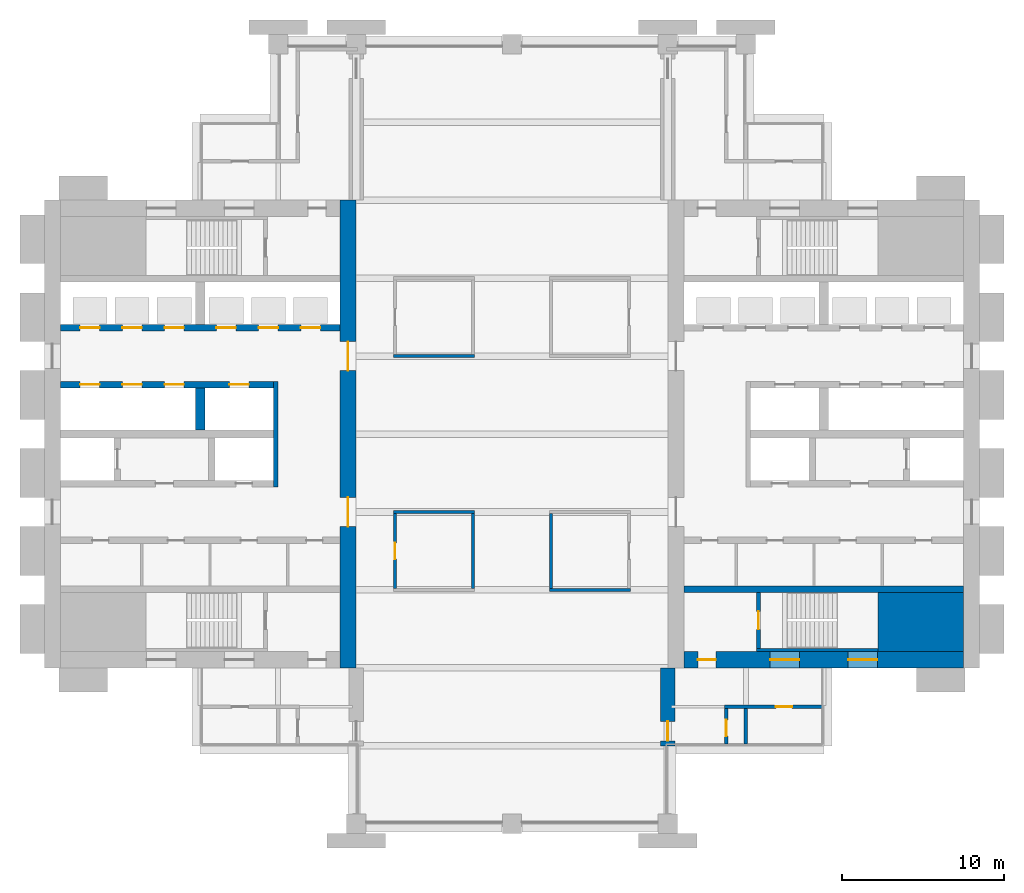
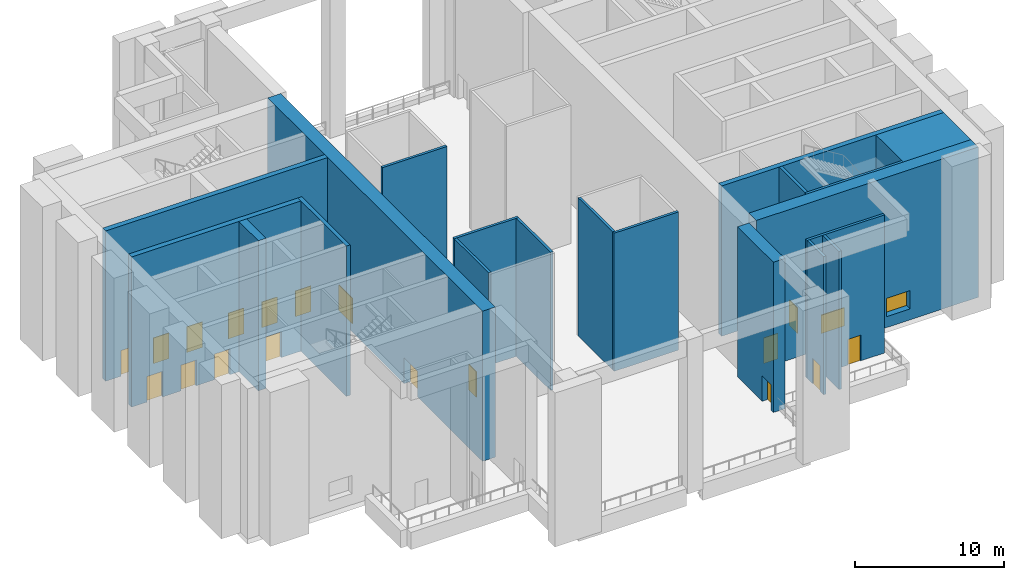
# One storey, part 3 of 9: 20 walls, 18 doors, 2 windows, 20 openings.
"""IFC4 building model written with IfcOpenShell, lengths in metres."""

from ifc_helpers import new_model, si_unit, direction, frame, frame_2d, origin, place, context, subcontext, project, spatial, rectangle, extrude, material, layer, layer_set, type_object, element, fill, save


model = new_model("IFC4")

# Units and contexts
model_context = context("Model", 3, precision=1e-05, world=origin(), true_north=direction((0.0, 1.0)))
body_context = subcontext(model_context, "Body", "Model", "MODEL_VIEW")
ifc_project = project(units=[si_unit("LENGTHUNIT", "METRE"), si_unit("AREAUNIT", "SQUARE_METRE"), si_unit("VOLUMEUNIT", "CUBIC_METRE"), si_unit("PLANEANGLEUNIT", "RADIAN"), si_unit("MASSUNIT", "GRAM", prefix="KILO")], contexts=[model_context])

# Site, building, storey
site_placement = place(None, origin())
site = spatial("IfcSite", under=ifc_project, at=site_placement, CompositionType="ELEMENT")
building_placement = place(site_placement, origin())
building = spatial("IfcBuilding", under=site, at=building_placement, Name="Baori Bourse Tower", CompositionType="ELEMENT")
storey_placement = place(building_placement, frame((0.0, 0.0, 180.60009765625)))
storey = spatial("IfcBuildingStorey", under=building, at=storey_placement, Name="L40", CompositionType="ELEMENT", Elevation=180.60009765625)

# Wall
ifc_material_1 = material(Name="Concrete f'c 60 MPa", Category="concrete")
wall_type_1 = type_object("IfcWallType", Name="Core corner block f'c 60", PredefinedType="SHEAR", material=ifc_material_1)
wall_1_placement = place(storey_placement, frame((51.35009765625, 12.425048828125, 0.0), z_axis=(0.0, 0.0, 1.0), x_axis=(1.0, 0.0, 0.0)))
element("IfcWall", 1, at=wall_1_placement, inside=storey, type_object=wall_type_1, Name="Core wall E04", PredefinedType="SHEAR", context=body_context, shape_type="SweptSolid", body=[
    extrude(rectangle(XDim=5.25, YDim=3.64990234375, at=frame_2d((2.625, 0.0))), origin(), (0.0, 0.0, 1.0), 12.2998046875),
])

# Wall, openings, doors
ifc_material_2 = material(Name="Concrete f'c 60 MPa", Category="concrete")
ifc_layer_1 = layer(ifc_material_2, 1.0)
ifc_layer_set_1 = layer_set([ifc_layer_1], Name="Core wall 1000 f'c 60")
wall_type_2 = type_object("IfcWallType", Name="Core wall 1000 f'c 60", PredefinedType="SHEAR", material=ifc_layer_set_1)
wall_2_placement = place(storey_placement, frame((18.699951171875, 38.39990234375, 0.0), z_axis=(0.0, 0.0, 1.0), x_axis=(0.0, -1.0, 0.0)))
wall_2 = element("IfcWall", 2, at=wall_2_placement, inside=storey, type_object=wall_type_2, Name="Core wall W03", PredefinedType="SHEAR", context=body_context, shape_type="SweptSolid", body=[
    extrude(rectangle(XDim=28.7998046875, YDim=1.0, at=frame_2d((14.39990234375, 0.0))), origin(), (0.0, 0.0, 1.0), 12.2998046875),
])
opening_1_placement = place(wall_2_placement, frame((18.300048828125, 0.0, 0.0)))
opening_1 = element("IfcOpeningElement", 3, at=opening_1_placement, cuts=wall_2, Name="Opening L40-D107", PredefinedType="OPENING", context=body_context, shape_type="SweptSolid", body=[
    extrude(rectangle(XDim=1.800048828125, YDim=2.10009765625, at=frame_2d((0.89990234375, 1.050048828125))), frame((0.0, 0.510009765625, 0.0), z_axis=(0.0, -1.0, 0.0), x_axis=(1.0, 0.0, 0.0)), (0.0, 0.0, 1.0), 1.02001953125),
])
opening_2_placement = place(wall_2_placement, frame((8.699951171875, 0.0, 0.0)))
opening_2 = element("IfcOpeningElement", 4, at=opening_2_placement, cuts=wall_2, Name="Opening L40-D108", PredefinedType="OPENING", context=body_context, shape_type="SweptSolid", body=[
    extrude(rectangle(XDim=1.800048828125, YDim=2.10009765625, at=frame_2d((0.89990234375, 1.050048828125))), frame((0.0, 0.510009765625, 0.0), z_axis=(0.0, -1.0, 0.0), x_axis=(1.0, 0.0, 0.0)), (0.0, 0.0, 1.0), 1.02001953125),
])
ifc_material_3 = material(Name="Painted steel door", Category="steel")
door_type_1 = type_object("IfcDoorType", Name="Core lobby door 1800", OperationType="DOUBLE_DOOR_SINGLE_SWING", PredefinedType="DOOR", material=ifc_material_3)
door_1_placement = place(opening_1_placement, origin())
door_1 = element("IfcDoor", 5, at=door_1_placement, inside=storey, type_object=door_type_1, Name="Lobby door W L40", OperationType="DOUBLE_DOOR_SINGLE_SWING", OverallHeight=2.10009765625, OverallWidth=1.800048828125, PredefinedType="DOOR", context=body_context, shape_type="SweptSolid", body=[
    extrude(rectangle(XDim=1.800048828125, YDim=2.10009765625, at=frame_2d((0.89990234375, 1.050048828125))), frame((0.0, 0.02490234375, 0.0), z_axis=(0.0, -1.0, 0.0), x_axis=(1.0, 0.0, 0.0)), (0.0, 0.0, 1.0), 0.050048828125),
])
fill(opening_1, door_1)
door_2_placement = place(opening_2_placement, origin())
door_2 = element("IfcDoor", 6, at=door_2_placement, inside=storey, type_object=door_type_1, Name="Lobby door W L40", OperationType="DOUBLE_DOOR_SINGLE_SWING", OverallHeight=2.10009765625, OverallWidth=1.800048828125, PredefinedType="DOOR", context=body_context, shape_type="SweptSolid", body=[
    extrude(rectangle(XDim=1.800048828125, YDim=2.10009765625, at=frame_2d((0.89990234375, 1.050048828125))), frame((0.0, 0.02490234375, 0.0), z_axis=(0.0, -1.0, 0.0), x_axis=(1.0, 0.0, 0.0)), (0.0, 0.0, 1.0), 0.050048828125),
])
fill(opening_2, door_2)

# Wall, openings, door, windows
wall_3_placement = place(storey_placement, frame((56.60009765625, 10.10009765625, 0.0), z_axis=(0.0, 0.0, 1.0), x_axis=(-1.0, 0.0, 0.0)))
wall_3 = element("IfcWall", 7, at=wall_3_placement, inside=storey, type_object=wall_type_2, Name="Core wall E02", PredefinedType="SHEAR", context=body_context, shape_type="SweptSolid", body=[
    extrude(rectangle(XDim=17.2001953125, YDim=1.0, at=frame_2d((8.60009765625, 0.0))), origin(), (0.0, 0.0, 1.0), 12.2998046875),
])
opening_3_placement = place(wall_3_placement, frame((15.25, 0.0, 0.0)))
opening_3 = element("IfcOpeningElement", 8, at=opening_3_placement, cuts=wall_3, Name="Opening L40-D202", PredefinedType="OPENING", context=body_context, shape_type="SweptSolid", body=[
    extrude(rectangle(XDim=1.10009765625, YDim=2.10009765625, at=frame_2d((0.550048828125, 1.050048828125))), frame((0.0, 0.510009765625, 0.0), z_axis=(0.0, -1.0, 0.0), x_axis=(1.0, 0.0, 0.0)), (0.0, 0.0, 1.0), 1.02001953125),
])
opening_4_placement = place(wall_3_placement, frame((5.300048828125, 0.0, 0.89990234375)))
opening_4 = element("IfcOpeningElement", 9, at=opening_4_placement, cuts=wall_3, Name="Opening L40-KW203", PredefinedType="OPENING", context=body_context, shape_type="SweptSolid", body=[
    extrude(rectangle(XDim=1.800048828125, YDim=1.5, at=frame_2d((0.89990234375, 0.75))), frame((0.0, 0.510009765625, 0.0), z_axis=(0.0, -1.0, 0.0), x_axis=(1.0, 0.0, 0.0)), (0.0, 0.0, 1.0), 1.02001953125),
])
opening_5_placement = place(wall_3_placement, frame((10.10009765625, 0.0, 0.89990234375)))
opening_5 = element("IfcOpeningElement", 10, at=opening_5_placement, cuts=wall_3, Name="Opening L40-KW204", PredefinedType="OPENING", context=body_context, shape_type="SweptSolid", body=[
    extrude(rectangle(XDim=1.800048828125, YDim=1.5, at=frame_2d((0.89990234375, 0.75))), frame((0.0, 0.510009765625, 0.0), z_axis=(0.0, -1.0, 0.0), x_axis=(1.0, 0.0, 0.0)), (0.0, 0.0, 1.0), 1.02001953125),
])
ifc_material_4 = material(Name="Painted steel door", Category="steel")
door_type_2 = type_object("IfcDoorType", Name="Stair door 1100", OperationType="SINGLE_SWING_LEFT", PredefinedType="DOOR", material=ifc_material_4)
door_3_placement = place(opening_3_placement, origin())
door_3 = element("IfcDoor", 11, at=door_3_placement, inside=storey, type_object=door_type_2, Name="Stair vestibule door A E L40", OperationType="SINGLE_SWING_LEFT", OverallHeight=2.10009765625, OverallWidth=1.10009765625, PredefinedType="DOOR", context=body_context, shape_type="SweptSolid", body=[
    extrude(rectangle(XDim=1.10009765625, YDim=2.10009765625, at=frame_2d((0.550048828125, 1.050048828125))), frame((0.0, 0.02490234375, 0.0), z_axis=(0.0, -1.0, 0.0), x_axis=(1.0, 0.0, 0.0)), (0.0, 0.0, 1.0), 0.050048828125),
])
fill(opening_3, door_3)
ifc_material_5 = material(Name="Pale anodised aluminium", Category="aluminium")
window_type = type_object("IfcWindowType", Name="Stair window 1800 x 1500", PartitioningType="SINGLE_PANEL", PredefinedType="WINDOW", material=ifc_material_5)
window_1_placement = place(opening_4_placement, origin())
window_1 = element("IfcWindow", 12, at=window_1_placement, inside=storey, type_object=window_type, Name="Stair window E L40 3", OverallHeight=1.5, OverallWidth=1.800048828125, PartitioningType="SINGLE_PANEL", PredefinedType="WINDOW", context=body_context, shape_type="SweptSolid", body=[
    extrude(rectangle(XDim=1.800048828125, YDim=1.5, at=frame_2d((0.89990234375, 0.75))), frame((0.0, 0.030029296875, 0.0), z_axis=(0.0, -1.0, 0.0), x_axis=(1.0, 0.0, 0.0)), (0.0, 0.0, 1.0), 0.06005859375),
])
fill(opening_4, window_1)
window_2_placement = place(opening_5_placement, origin())
window_2 = element("IfcWindow", 13, at=window_2_placement, inside=storey, type_object=window_type, Name="Stair window E L40 4", OverallHeight=1.5, OverallWidth=1.800048828125, PartitioningType="SINGLE_PANEL", PredefinedType="WINDOW", context=body_context, shape_type="SweptSolid", body=[
    extrude(rectangle(XDim=1.800048828125, YDim=1.5, at=frame_2d((0.89990234375, 0.75))), frame((0.0, 0.030029296875, 0.0), z_axis=(0.0, -1.0, 0.0), x_axis=(1.0, 0.0, 0.0)), (0.0, 0.0, 1.0), 0.06005859375),
])
fill(opening_5, window_2)

# Wall, opening, door
ifc_material_6 = material(Name="Concrete f'c 60 MPa", Category="concrete")
ifc_layer_2 = layer(ifc_material_6, 0.89990234375)
ifc_layer_set_2 = layer_set([ifc_layer_2], Name="Outrigger wall 900 60")
wall_type_3 = type_object("IfcWallType", Name="Outrigger wall 900 60", PredefinedType="SHEAR", material=ifc_layer_set_2)
wall_4_placement = place(storey_placement, frame((38.39990234375, 4.800048828125, 0.0), z_axis=(0.0, 0.0, 1.0), x_axis=(0.0, 1.0, 0.0)))
wall_4 = element("IfcWall", 14, at=wall_4_placement, inside=storey, type_object=wall_type_3, Name="Outrigger wall L40", PredefinedType="SHEAR", context=body_context, shape_type="SweptSolid", body=[
    extrude(rectangle(XDim=4.800048828125, YDim=0.89990234375, at=frame_2d((2.39990234375, 0.0))), origin(), (0.0, 0.0, 1.0), 12.2998046875),
])
opening_6_placement = place(wall_4_placement, frame((0.300048828125, 0.0, 0.0)))
opening_6 = element("IfcOpeningElement", 15, at=opening_6_placement, cuts=wall_4, Name="Opening L40-D15", PredefinedType="OPENING", context=body_context, shape_type="SweptSolid", body=[
    extrude(rectangle(XDim=1.199951171875, YDim=2.10009765625, at=frame_2d((0.60009765625, 1.050048828125))), frame((0.0, 0.4599609375, 0.0), z_axis=(0.0, -1.0, 0.0), x_axis=(1.0, 0.0, 0.0)), (0.0, 0.0, 1.0), 0.919921875),
])
ifc_material_7 = material(Name="Timber door leaf", Category="wood")
door_type_3 = type_object("IfcDoorType", Name="Door 1200 x 2100", OperationType="SINGLE_SWING_LEFT", PredefinedType="DOOR", material=ifc_material_7)
door_4_placement = place(opening_6_placement, origin())
door_4 = element("IfcDoor", 16, at=door_4_placement, inside=storey, type_object=door_type_3, Name="Door", OperationType="SINGLE_SWING_RIGHT", OverallHeight=2.10009765625, OverallWidth=1.199951171875, PredefinedType="DOOR", context=body_context, shape_type="SweptSolid", body=[
    extrude(rectangle(XDim=1.199951171875, YDim=2.10009765625, at=frame_2d((0.60009765625, 1.050048828125))), frame((0.0, 0.02490234375, 0.0), z_axis=(0.0, -1.0, 0.0), x_axis=(1.0, 0.0, 0.0)), (0.0, 0.0, 1.0), 0.050048828125),
])
fill(opening_6, door_4)

ifc_material_8 = material(Name="Gypsum board partition")
ifc_layer_3 = layer(ifc_material_8, 0.199951171875)
ifc_layer_set_3 = layer_set([ifc_layer_3], Name="Plant room wall 200")
wall_type_4 = type_object("IfcWallType", Name="Plant room wall 200", PredefinedType="PARTITIONING", material=ifc_layer_set_3)
wall_5_placement = place(storey_placement, frame((41.89990234375, 7.199951171875, 0.0), z_axis=(0.0, 0.0, 1.0), x_axis=(1.0, 0.0, 0.0)))
wall_5 = element("IfcWall", 17, at=wall_5_placement, inside=storey, type_object=wall_type_4, Name="Partition", PredefinedType="PARTITIONING", context=body_context, shape_type="SweptSolid", body=[
    extrude(rectangle(XDim=6.0, YDim=0.199951171875, at=frame_2d((3.0, 0.0))), origin(), (0.0, 0.0, 1.0), 11.309326171875),
])
opening_7_placement = place(wall_5_placement, frame((3.14990234375, 0.0, 0.0)))
opening_7 = element("IfcOpeningElement", 18, at=opening_7_placement, cuts=wall_5, Name="Opening L40-D02", PredefinedType="OPENING", context=body_context, shape_type="SweptSolid", body=[
    extrude(rectangle(XDim=1.0, YDim=2.10009765625, at=frame_2d((0.5, 1.050048828125))), frame((0.0, 0.10986328125, 0.0), z_axis=(0.0, -1.0, 0.0), x_axis=(1.0, 0.0, 0.0)), (0.0, 0.0, 1.0), 0.219970703125),
])
ifc_material_9 = material(Name="Timber door leaf", Category="wood")
door_type_4 = type_object("IfcDoorType", Name="Door 1000 x 2100", OperationType="SINGLE_SWING_LEFT", PredefinedType="DOOR", material=ifc_material_9)
door_5_placement = place(opening_7_placement, origin())
door_5 = element("IfcDoor", 19, at=door_5_placement, inside=storey, type_object=door_type_4, Name="Door", OperationType="SINGLE_SWING_RIGHT", OverallHeight=2.10009765625, OverallWidth=1.0, PredefinedType="DOOR", context=body_context, shape_type="SweptSolid", body=[
    extrude(rectangle(XDim=1.0, YDim=2.10009765625, at=frame_2d((0.5, 1.050048828125))), frame((0.0, 0.02490234375, 0.0), z_axis=(0.0, -1.0, 0.0), x_axis=(1.0, 0.0, 0.0)), (0.0, 0.0, 1.0), 0.050048828125),
])
fill(opening_7, door_5)

# Walls
for number, where, z_axis, x_axis, name in (
    (20, (31.10009765625, 14.39990234375, 0.0), (0.0, 0.0, 1.0), (1.0, 0.0, 0.0), "Partition"),
    (21, (21.5, 19.199951171875, 0.0), (0.0, 0.0, 1.0), (1.0, 0.0, 0.0), "Partition"),
    (22, (21.5, 28.800048828125, 0.0), (0.0, 0.0, 1.0), (1.0, 0.0, 0.0), "Partition"),
):
    element("IfcWall", number, at=place(storey_placement, frame(where, z_axis=z_axis, x_axis=x_axis)), inside=storey, type_object=wall_type_4, Name=name, PredefinedType="PARTITIONING", context=body_context, shape_type="SweptSolid", body=[
        extrude(rectangle(XDim=5.0, YDim=0.199951171875, at=frame_2d((2.5, 0.0))), origin(), (0.0, 0.0, 1.0), 11.309326171875),
    ])

# Wall, opening, door
wall_6_placement = place(storey_placement, frame((21.60009765625, 14.5, 0.0), z_axis=(0.0, 0.0, 1.0), x_axis=(0.0, 1.0, 0.0)))
wall_6 = element("IfcWall", 23, at=wall_6_placement, inside=storey, type_object=wall_type_4, Name="Partition", PredefinedType="PARTITIONING", context=body_context, shape_type="SweptSolid", body=[
    extrude(rectangle(XDim=4.60009765625, YDim=0.199951171875, at=frame_2d((2.300048828125, 0.0))), origin(), (0.0, 0.0, 1.0), 11.309326171875),
])
opening_8_placement = place(wall_6_placement, frame((1.800048828125, 0.0, 0.0)))
opening_8 = element("IfcOpeningElement", 24, at=opening_8_placement, cuts=wall_6, Name="Opening L40-D07", PredefinedType="OPENING", context=body_context, shape_type="SweptSolid", body=[
    extrude(rectangle(XDim=1.0, YDim=2.10009765625, at=frame_2d((0.5, 1.050048828125))), frame((0.0, 0.10986328125, 0.0), z_axis=(0.0, -1.0, 0.0), x_axis=(1.0, 0.0, 0.0)), (0.0, 0.0, 1.0), 0.219970703125),
])
door_6_placement = place(opening_8_placement, origin())
door_6 = element("IfcDoor", 25, at=door_6_placement, inside=storey, type_object=door_type_4, Name="Door", OperationType="SINGLE_SWING_LEFT", OverallHeight=2.10009765625, OverallWidth=1.0, PredefinedType="DOOR", context=body_context, shape_type="SweptSolid", body=[
    extrude(rectangle(XDim=1.0, YDim=2.10009765625, at=frame_2d((0.5, 1.050048828125))), frame((0.0, 0.02490234375, 0.0), z_axis=(0.0, -1.0, 0.0), x_axis=(1.0, 0.0, 0.0)), (0.0, 0.0, 1.0), 0.050048828125),
])
fill(opening_8, door_6)

# Walls
for number, where, z_axis, x_axis, name in (
    (26, (26.39990234375, 14.5, 0.0), (0.0, 0.0, 1.0), (0.0, 1.0, 0.0), "Partition"),
    (27, (31.199951171875, 14.5, 0.0), (0.0, 0.0, 1.0), (0.0, 1.0, 0.0), "Partition"),
):
    element("IfcWall", number, at=place(storey_placement, frame(where, z_axis=z_axis, x_axis=x_axis)), inside=storey, type_object=wall_type_4, Name=name, PredefinedType="PARTITIONING", context=body_context, shape_type="SweptSolid", body=[
        extrude(rectangle(XDim=4.60009765625, YDim=0.199951171875, at=frame_2d((2.300048828125, 0.0))), origin(), (0.0, 0.0, 1.0), 11.309326171875),
    ])

# Wall, opening, door
wall_7_placement = place(storey_placement, frame((42.0, 4.89990234375, 0.0), z_axis=(0.0, 0.0, 1.0), x_axis=(0.0, 1.0, 0.0)))
wall_7 = element("IfcWall", 28, at=wall_7_placement, inside=storey, type_object=wall_type_4, Name="Partition", PredefinedType="PARTITIONING", context=body_context, shape_type="SweptSolid", body=[
    extrude(rectangle(XDim=2.2001953125, YDim=0.199951171875, at=frame_2d((1.10009765625, 0.0))), origin(), (0.0, 0.0, 1.0), 11.309326171875),
])
opening_9_placement = place(wall_7_placement, frame((0.5, 0.0, 0.0)))
opening_9 = element("IfcOpeningElement", 29, at=opening_9_placement, cuts=wall_7, Name="Opening L40-D11", PredefinedType="OPENING", context=body_context, shape_type="SweptSolid", body=[
    extrude(rectangle(XDim=1.0, YDim=2.10009765625, at=frame_2d((0.5, 1.050048828125))), frame((0.0, 0.10986328125, 0.0), z_axis=(0.0, -1.0, 0.0), x_axis=(1.0, 0.0, 0.0)), (0.0, 0.0, 1.0), 0.219970703125),
])
door_7_placement = place(opening_9_placement, origin())
door_7 = element("IfcDoor", 30, at=door_7_placement, inside=storey, type_object=door_type_4, Name="Door", OperationType="SINGLE_SWING_LEFT", OverallHeight=2.10009765625, OverallWidth=1.0, PredefinedType="DOOR", context=body_context, shape_type="SweptSolid", body=[
    extrude(rectangle(XDim=1.0, YDim=2.10009765625, at=frame_2d((0.5, 1.050048828125))), frame((0.0, 0.02490234375, 0.0), z_axis=(0.0, -1.0, 0.0), x_axis=(1.0, 0.0, 0.0)), (0.0, 0.0, 1.0), 0.050048828125),
])
fill(opening_9, door_7)

# Walls
wall_8_placement = place(storey_placement, frame((43.199951171875, 4.89990234375, 0.0), z_axis=(0.0, 0.0, 1.0), x_axis=(0.0, 1.0, 0.0)))
element("IfcWall", 31, at=wall_8_placement, inside=storey, type_object=wall_type_4, Name="Partition", PredefinedType="PARTITIONING", context=body_context, shape_type="SweptSolid", body=[
    extrude(rectangle(XDim=2.2001953125, YDim=0.199951171875, at=frame_2d((1.10009765625, 0.0))), origin(), (0.0, 0.0, 1.0), 11.309326171875),
])
ifc_material_10 = material(Name="Concrete f'c 60 MPa", Category="concrete")
ifc_layer_4 = layer(ifc_material_10, 0.199951171875)
ifc_layer_set_4 = layer_set([ifc_layer_4], Name="Shaft wall 200 f'c 60")
wall_type_5 = type_object("IfcWallType", Name="Shaft wall 200 f'c 60", PredefinedType="SHEAR", material=ifc_layer_set_4)
wall_9_placement = place(storey_placement, frame((43.85009765625, 10.699951171875, 0.0), z_axis=(0.0, 0.0, 1.0), x_axis=(1.0, 0.0, 0.0)))
element("IfcWall", 32, at=wall_9_placement, inside=storey, type_object=wall_type_5, Name="Core wall E05", PredefinedType="SHEAR", context=body_context, shape_type="SweptSolid", body=[
    extrude(rectangle(XDim=7.5, YDim=0.199951171875, at=frame_2d((3.75, 0.0))), origin(), (0.0, 0.0, 1.0), 12.2998046875),
])

# Wall, opening, door
ifc_material_11 = material(Name="Concrete f'c 60 MPa", Category="concrete")
ifc_layer_5 = layer(ifc_material_11, 0.25)
ifc_layer_set_5 = layer_set([ifc_layer_5], Name="Shaft wall 250 f'c 60")
wall_type_6 = type_object("IfcWallType", Name="Shaft wall 250 f'c 60", PredefinedType="SHEAR", material=ifc_layer_set_5)
wall_10_placement = place(storey_placement, frame((43.97509765625, 10.800048828125, 0.0), z_axis=(0.0, 0.0, 1.0), x_axis=(0.0, 1.0, 0.0)))
wall_10 = element("IfcWall", 33, at=wall_10_placement, inside=storey, type_object=wall_type_6, Name="Core wall E06", PredefinedType="SHEAR", context=body_context, shape_type="SweptSolid", body=[
    extrude(rectangle(XDim=3.449951171875, YDim=0.25, at=frame_2d((1.72509765625, 0.0))), origin(), (0.0, 0.0, 1.0), 12.2998046875),
])
opening_10_placement = place(wall_10_placement, frame((1.175048828125, 0.0, 0.0)))
opening_10 = element("IfcOpeningElement", 34, at=opening_10_placement, cuts=wall_10, Name="Opening L40-D201", PredefinedType="OPENING", context=body_context, shape_type="SweptSolid", body=[
    extrude(rectangle(XDim=1.10009765625, YDim=2.10009765625, at=frame_2d((0.550048828125, 1.050048828125))), frame((0.0, 0.135009765625, 0.0), z_axis=(0.0, -1.0, 0.0), x_axis=(1.0, 0.0, 0.0)), (0.0, 0.0, 1.0), 0.27001953125),
])
door_8_placement = place(opening_10_placement, origin())
door_8 = element("IfcDoor", 35, at=door_8_placement, inside=storey, type_object=door_type_2, Name="Stair door A E L40", OperationType="SINGLE_SWING_LEFT", OverallHeight=2.10009765625, OverallWidth=1.10009765625, PredefinedType="DOOR", context=body_context, shape_type="SweptSolid", body=[
    extrude(rectangle(XDim=1.10009765625, YDim=2.10009765625, at=frame_2d((0.550048828125, 1.050048828125))), frame((0.0, 0.02490234375, 0.0), z_axis=(0.0, -1.0, 0.0), x_axis=(1.0, 0.0, 0.0)), (0.0, 0.0, 1.0), 0.050048828125),
])
fill(opening_10, door_8)

# Wall
ifc_material_12 = material(Name="Concrete f'c 60 MPa", Category="concrete")
ifc_layer_6 = layer(ifc_material_12, 0.300048828125)
ifc_layer_set_6 = layer_set([ifc_layer_6], Name="Shaft wall 300 f'c 60")
wall_type_7 = type_object("IfcWallType", Name="Shaft wall 300 f'c 60", PredefinedType="SHEAR", material=ifc_layer_set_6)
wall_11_placement = place(storey_placement, frame((14.25, 20.75, 0.0), z_axis=(0.0, 0.0, 1.0), x_axis=(0.0, 1.0, 0.0)))
element("IfcWall", 36, at=wall_11_placement, inside=storey, type_object=wall_type_7, Name="Core wall W13", PredefinedType="SHEAR", context=body_context, shape_type="SweptSolid", body=[
    extrude(rectangle(XDim=6.5, YDim=0.300048828125, at=frame_2d((3.25, 0.0))), origin(), (0.0, 0.0, 1.0), 12.2998046875),
])

# Wall, openings, doors
ifc_material_13 = material(Name="Concrete f'c 60 MPa", Category="concrete")
ifc_layer_7 = layer(ifc_material_13, 0.39990234375)
ifc_layer_set_7 = layer_set([ifc_layer_7], Name="Shaft wall 400 f'c 60")
wall_type_8 = type_object("IfcWallType", Name="Shaft wall 400 f'c 60", PredefinedType="SHEAR", material=ifc_layer_set_7)
wall_12_placement = place(storey_placement, frame((1.0, 27.050048828125, 0.0), z_axis=(0.0, 0.0, 1.0), x_axis=(1.0, 0.0, 0.0)))
wall_12 = element("IfcWall", 37, at=wall_12_placement, inside=storey, type_object=wall_type_8, Name="Core wall W18", PredefinedType="SHEAR", context=body_context, shape_type="SweptSolid", body=[
    extrude(rectangle(XDim=13.10009765625, YDim=0.39990234375, at=frame_2d((6.550048828125, 0.0))), origin(), (0.0, 0.0, 1.0), 12.2998046875),
])
opening_11_placement = place(wall_12_placement, frame((1.199951171875, 0.0, 0.0)))
opening_11 = element("IfcOpeningElement", 38, at=opening_11_placement, cuts=wall_12, Name="Opening L40-D119", PredefinedType="OPENING", context=body_context, shape_type="SweptSolid", body=[
    extrude(rectangle(XDim=1.199951171875, YDim=2.10009765625, at=frame_2d((0.60009765625, 1.050048828125))), frame((0.0, 0.2099609375, 0.0), z_axis=(0.0, -1.0, 0.0), x_axis=(1.0, 0.0, 0.0)), (0.0, 0.0, 1.0), 0.419921875),
])
opening_12_placement = place(wall_12_placement, frame((3.800048828125, 0.0, 0.0)))
opening_12 = element("IfcOpeningElement", 39, at=opening_12_placement, cuts=wall_12, Name="Opening L40-D120", PredefinedType="OPENING", context=body_context, shape_type="SweptSolid", body=[
    extrude(rectangle(XDim=1.199951171875, YDim=2.10009765625, at=frame_2d((0.60009765625, 1.050048828125))), frame((0.0, 0.2099609375, 0.0), z_axis=(0.0, -1.0, 0.0), x_axis=(1.0, 0.0, 0.0)), (0.0, 0.0, 1.0), 0.419921875),
])
opening_13_placement = place(wall_12_placement, frame((6.39990234375, 0.0, 0.0)))
opening_13 = element("IfcOpeningElement", 40, at=opening_13_placement, cuts=wall_12, Name="Opening L40-D121", PredefinedType="OPENING", context=body_context, shape_type="SweptSolid", body=[
    extrude(rectangle(XDim=1.199951171875, YDim=2.10009765625, at=frame_2d((0.60009765625, 1.050048828125))), frame((0.0, 0.2099609375, 0.0), z_axis=(0.0, -1.0, 0.0), x_axis=(1.0, 0.0, 0.0)), (0.0, 0.0, 1.0), 0.419921875),
])
opening_14_placement = place(wall_12_placement, frame((10.39990234375, 0.0, 0.0)))
opening_14 = element("IfcOpeningElement", 41, at=opening_14_placement, cuts=wall_12, Name="Opening L40-D122", PredefinedType="OPENING", context=body_context, shape_type="SweptSolid", body=[
    extrude(rectangle(XDim=1.199951171875, YDim=2.10009765625, at=frame_2d((0.60009765625, 1.050048828125))), frame((0.0, 0.2099609375, 0.0), z_axis=(0.0, -1.0, 0.0), x_axis=(1.0, 0.0, 0.0)), (0.0, 0.0, 1.0), 0.419921875),
])
ifc_material_14 = material(Name="Stainless steel door", Category="steel")
door_type_5 = type_object("IfcDoorType", Name="Lift landing door", OperationType="DOUBLE_DOOR_SLIDING", PredefinedType="DOOR", material=ifc_material_14)
door_9_placement = place(opening_11_placement, origin())
door_9 = element("IfcDoor", 42, at=door_9_placement, inside=storey, type_object=door_type_5, Name="Lift landing door SH1 W L40", OperationType="DOUBLE_DOOR_SLIDING", OverallHeight=2.10009765625, OverallWidth=1.199951171875, PredefinedType="DOOR", context=body_context, shape_type="SweptSolid", body=[
    extrude(rectangle(XDim=1.199951171875, YDim=2.10009765625, at=frame_2d((0.60009765625, 1.050048828125))), frame((0.0, 0.02490234375, 0.0), z_axis=(0.0, -1.0, 0.0), x_axis=(1.0, 0.0, 0.0)), (0.0, 0.0, 1.0), 0.050048828125),
])
fill(opening_11, door_9)
door_10_placement = place(opening_12_placement, origin())
door_10 = element("IfcDoor", 43, at=door_10_placement, inside=storey, type_object=door_type_5, Name="Lift landing door SH2 W L40", OperationType="DOUBLE_DOOR_SLIDING", OverallHeight=2.10009765625, OverallWidth=1.199951171875, PredefinedType="DOOR", context=body_context, shape_type="SweptSolid", body=[
    extrude(rectangle(XDim=1.199951171875, YDim=2.10009765625, at=frame_2d((0.60009765625, 1.050048828125))), frame((0.0, 0.02490234375, 0.0), z_axis=(0.0, -1.0, 0.0), x_axis=(1.0, 0.0, 0.0)), (0.0, 0.0, 1.0), 0.050048828125),
])
fill(opening_12, door_10)
door_11_placement = place(opening_13_placement, origin())
door_11 = element("IfcDoor", 44, at=door_11_placement, inside=storey, type_object=door_type_5, Name="Lift landing door SH3 W L40", OperationType="DOUBLE_DOOR_SLIDING", OverallHeight=2.10009765625, OverallWidth=1.199951171875, PredefinedType="DOOR", context=body_context, shape_type="SweptSolid", body=[
    extrude(rectangle(XDim=1.199951171875, YDim=2.10009765625, at=frame_2d((0.60009765625, 1.050048828125))), frame((0.0, 0.02490234375, 0.0), z_axis=(0.0, -1.0, 0.0), x_axis=(1.0, 0.0, 0.0)), (0.0, 0.0, 1.0), 0.050048828125),
])
fill(opening_13, door_11)
door_12_placement = place(opening_14_placement, origin())
door_12 = element("IfcDoor", 45, at=door_12_placement, inside=storey, type_object=door_type_5, Name="Lift landing door SV1 W L40", OperationType="DOUBLE_DOOR_SLIDING", OverallHeight=2.10009765625, OverallWidth=1.199951171875, PredefinedType="DOOR", context=body_context, shape_type="SweptSolid", body=[
    extrude(rectangle(XDim=1.199951171875, YDim=2.10009765625, at=frame_2d((0.60009765625, 1.050048828125))), frame((0.0, 0.02490234375, 0.0), z_axis=(0.0, -1.0, 0.0), x_axis=(1.0, 0.0, 0.0)), (0.0, 0.0, 1.0), 0.050048828125),
])
fill(opening_14, door_12)

wall_13_placement = place(storey_placement, frame((1.0, 30.550048828125, 0.0), z_axis=(0.0, 0.0, 1.0), x_axis=(1.0, 0.0, 0.0)))
wall_13 = element("IfcWall", 46, at=wall_13_placement, inside=storey, type_object=wall_type_8, Name="Core wall W19", PredefinedType="SHEAR", context=body_context, shape_type="SweptSolid", body=[
    extrude(rectangle(XDim=17.199951171875, YDim=0.39990234375, at=frame_2d((8.60009765625, 0.0))), origin(), (0.0, 0.0, 1.0), 12.2998046875),
])
opening_15_placement = place(wall_13_placement, frame((1.199951171875, 0.0, 0.0)))
opening_15 = element("IfcOpeningElement", 47, at=opening_15_placement, cuts=wall_13, Name="Opening L40-D113", PredefinedType="OPENING", context=body_context, shape_type="SweptSolid", body=[
    extrude(rectangle(XDim=1.199951171875, YDim=2.10009765625, at=frame_2d((0.60009765625, 1.050048828125))), frame((0.0, 0.2099609375, 0.0), z_axis=(0.0, -1.0, 0.0), x_axis=(1.0, 0.0, 0.0)), (0.0, 0.0, 1.0), 0.419921875),
])
opening_16_placement = place(wall_13_placement, frame((3.800048828125, 0.0, 0.0)))
opening_16 = element("IfcOpeningElement", 48, at=opening_16_placement, cuts=wall_13, Name="Opening L40-D114", PredefinedType="OPENING", context=body_context, shape_type="SweptSolid", body=[
    extrude(rectangle(XDim=1.199951171875, YDim=2.10009765625, at=frame_2d((0.60009765625, 1.050048828125))), frame((0.0, 0.2099609375, 0.0), z_axis=(0.0, -1.0, 0.0), x_axis=(1.0, 0.0, 0.0)), (0.0, 0.0, 1.0), 0.419921875),
])
opening_17_placement = place(wall_13_placement, frame((6.39990234375, 0.0, 0.0)))
opening_17 = element("IfcOpeningElement", 49, at=opening_17_placement, cuts=wall_13, Name="Opening L40-D115", PredefinedType="OPENING", context=body_context, shape_type="SweptSolid", body=[
    extrude(rectangle(XDim=1.199951171875, YDim=2.10009765625, at=frame_2d((0.60009765625, 1.050048828125))), frame((0.0, 0.2099609375, 0.0), z_axis=(0.0, -1.0, 0.0), x_axis=(1.0, 0.0, 0.0)), (0.0, 0.0, 1.0), 0.419921875),
])
opening_18_placement = place(wall_13_placement, frame((9.60009765625, 0.0, 0.0)))
opening_18 = element("IfcOpeningElement", 50, at=opening_18_placement, cuts=wall_13, Name="Opening L40-D116", PredefinedType="OPENING", context=body_context, shape_type="SweptSolid", body=[
    extrude(rectangle(XDim=1.199951171875, YDim=2.10009765625, at=frame_2d((0.60009765625, 1.050048828125))), frame((0.0, 0.2099609375, 0.0), z_axis=(0.0, -1.0, 0.0), x_axis=(1.0, 0.0, 0.0)), (0.0, 0.0, 1.0), 0.419921875),
])
opening_19_placement = place(wall_13_placement, frame((12.199951171875, 0.0, 0.0)))
opening_19 = element("IfcOpeningElement", 51, at=opening_19_placement, cuts=wall_13, Name="Opening L40-D117", PredefinedType="OPENING", context=body_context, shape_type="SweptSolid", body=[
    extrude(rectangle(XDim=1.199951171875, YDim=2.10009765625, at=frame_2d((0.60009765625, 1.050048828125))), frame((0.0, 0.2099609375, 0.0), z_axis=(0.0, -1.0, 0.0), x_axis=(1.0, 0.0, 0.0)), (0.0, 0.0, 1.0), 0.419921875),
])
opening_20_placement = place(wall_13_placement, frame((14.800048828125, 0.0, 0.0)))
opening_20 = element("IfcOpeningElement", 52, at=opening_20_placement, cuts=wall_13, Name="Opening L40-D118", PredefinedType="OPENING", context=body_context, shape_type="SweptSolid", body=[
    extrude(rectangle(XDim=1.199951171875, YDim=2.10009765625, at=frame_2d((0.60009765625, 1.050048828125))), frame((0.0, 0.2099609375, 0.0), z_axis=(0.0, -1.0, 0.0), x_axis=(1.0, 0.0, 0.0)), (0.0, 0.0, 1.0), 0.419921875),
])
door_13_placement = place(opening_15_placement, origin())
door_13 = element("IfcDoor", 53, at=door_13_placement, inside=storey, type_object=door_type_5, Name="Lift landing door HR1 W L40", OperationType="DOUBLE_DOOR_SLIDING", OverallHeight=2.10009765625, OverallWidth=1.199951171875, PredefinedType="DOOR", context=body_context, shape_type="SweptSolid", body=[
    extrude(rectangle(XDim=1.199951171875, YDim=2.10009765625, at=frame_2d((0.60009765625, 1.050048828125))), frame((0.0, 0.02490234375, 0.0), z_axis=(0.0, -1.0, 0.0), x_axis=(1.0, 0.0, 0.0)), (0.0, 0.0, 1.0), 0.050048828125),
])
fill(opening_15, door_13)
door_14_placement = place(opening_16_placement, origin())
door_14 = element("IfcDoor", 54, at=door_14_placement, inside=storey, type_object=door_type_5, Name="Lift landing door HR2 W L40", OperationType="DOUBLE_DOOR_SLIDING", OverallHeight=2.10009765625, OverallWidth=1.199951171875, PredefinedType="DOOR", context=body_context, shape_type="SweptSolid", body=[
    extrude(rectangle(XDim=1.199951171875, YDim=2.10009765625, at=frame_2d((0.60009765625, 1.050048828125))), frame((0.0, 0.02490234375, 0.0), z_axis=(0.0, -1.0, 0.0), x_axis=(1.0, 0.0, 0.0)), (0.0, 0.0, 1.0), 0.050048828125),
])
fill(opening_16, door_14)
door_15_placement = place(opening_17_placement, origin())
door_15 = element("IfcDoor", 55, at=door_15_placement, inside=storey, type_object=door_type_5, Name="Lift landing door HR3 W L40", OperationType="DOUBLE_DOOR_SLIDING", OverallHeight=2.10009765625, OverallWidth=1.199951171875, PredefinedType="DOOR", context=body_context, shape_type="SweptSolid", body=[
    extrude(rectangle(XDim=1.199951171875, YDim=2.10009765625, at=frame_2d((0.60009765625, 1.050048828125))), frame((0.0, 0.02490234375, 0.0), z_axis=(0.0, -1.0, 0.0), x_axis=(1.0, 0.0, 0.0)), (0.0, 0.0, 1.0), 0.050048828125),
])
fill(opening_17, door_15)
door_16_placement = place(opening_18_placement, origin())
door_16 = element("IfcDoor", 56, at=door_16_placement, inside=storey, type_object=door_type_5, Name="Lift landing door HR4 W L40", OperationType="DOUBLE_DOOR_SLIDING", OverallHeight=2.10009765625, OverallWidth=1.199951171875, PredefinedType="DOOR", context=body_context, shape_type="SweptSolid", body=[
    extrude(rectangle(XDim=1.199951171875, YDim=2.10009765625, at=frame_2d((0.60009765625, 1.050048828125))), frame((0.0, 0.02490234375, 0.0), z_axis=(0.0, -1.0, 0.0), x_axis=(1.0, 0.0, 0.0)), (0.0, 0.0, 1.0), 0.050048828125),
])
fill(opening_18, door_16)
door_17_placement = place(opening_19_placement, origin())
door_17 = element("IfcDoor", 57, at=door_17_placement, inside=storey, type_object=door_type_5, Name="Lift landing door HR5 W L40", OperationType="DOUBLE_DOOR_SLIDING", OverallHeight=2.10009765625, OverallWidth=1.199951171875, PredefinedType="DOOR", context=body_context, shape_type="SweptSolid", body=[
    extrude(rectangle(XDim=1.199951171875, YDim=2.10009765625, at=frame_2d((0.60009765625, 1.050048828125))), frame((0.0, 0.02490234375, 0.0), z_axis=(0.0, -1.0, 0.0), x_axis=(1.0, 0.0, 0.0)), (0.0, 0.0, 1.0), 0.050048828125),
])
fill(opening_19, door_17)
door_18_placement = place(opening_20_placement, origin())
door_18 = element("IfcDoor", 58, at=door_18_placement, inside=storey, type_object=door_type_5, Name="Lift landing door HR6 W L40", OperationType="DOUBLE_DOOR_SLIDING", OverallHeight=2.10009765625, OverallWidth=1.199951171875, PredefinedType="DOOR", context=body_context, shape_type="SweptSolid", body=[
    extrude(rectangle(XDim=1.199951171875, YDim=2.10009765625, at=frame_2d((0.60009765625, 1.050048828125))), frame((0.0, 0.02490234375, 0.0), z_axis=(0.0, -1.0, 0.0), x_axis=(1.0, 0.0, 0.0)), (0.0, 0.0, 1.0), 0.050048828125),
])
fill(opening_20, door_18)

# Walls
wall_14_placement = place(storey_placement, frame((39.39990234375, 14.449951171875, 0.0), z_axis=(0.0, 0.0, 1.0), x_axis=(1.0, 0.0, 0.0)))
element("IfcWall", 59, at=wall_14_placement, inside=storey, type_object=wall_type_8, Name="Core wall E07", PredefinedType="SHEAR", context=body_context, shape_type="SweptSolid", body=[
    extrude(rectangle(XDim=17.2001953125, YDim=0.39990234375, at=frame_2d((8.60009765625, 0.0))), origin(), (0.0, 0.0, 1.0), 12.2998046875),
])
ifc_material_15 = material(Name="Concrete f'c 60 MPa", Category="concrete")
ifc_layer_8 = layer(ifc_material_15, 0.60009765625)
ifc_layer_set_8 = layer_set([ifc_layer_8], Name="Shaft wall 600 f'c 60")
wall_type_9 = type_object("IfcWallType", Name="Shaft wall 600 f'c 60", PredefinedType="SHEAR", material=ifc_layer_set_8)
wall_15_placement = place(storey_placement, frame((9.60009765625, 24.25, 0.0), z_axis=(0.0, 0.0, 1.0), x_axis=(0.0, 1.0, 0.0)))
element("IfcWall", 60, at=wall_15_placement, inside=storey, type_object=wall_type_9, Name="Core wall W17", PredefinedType="SHEAR", context=body_context, shape_type="SweptSolid", body=[
    extrude(rectangle(XDim=2.60009765625, YDim=0.60009765625, at=frame_2d((1.300048828125, 0.0))), origin(), (0.0, 0.0, 1.0), 12.2998046875),
])

save(model, "model.ifc")
